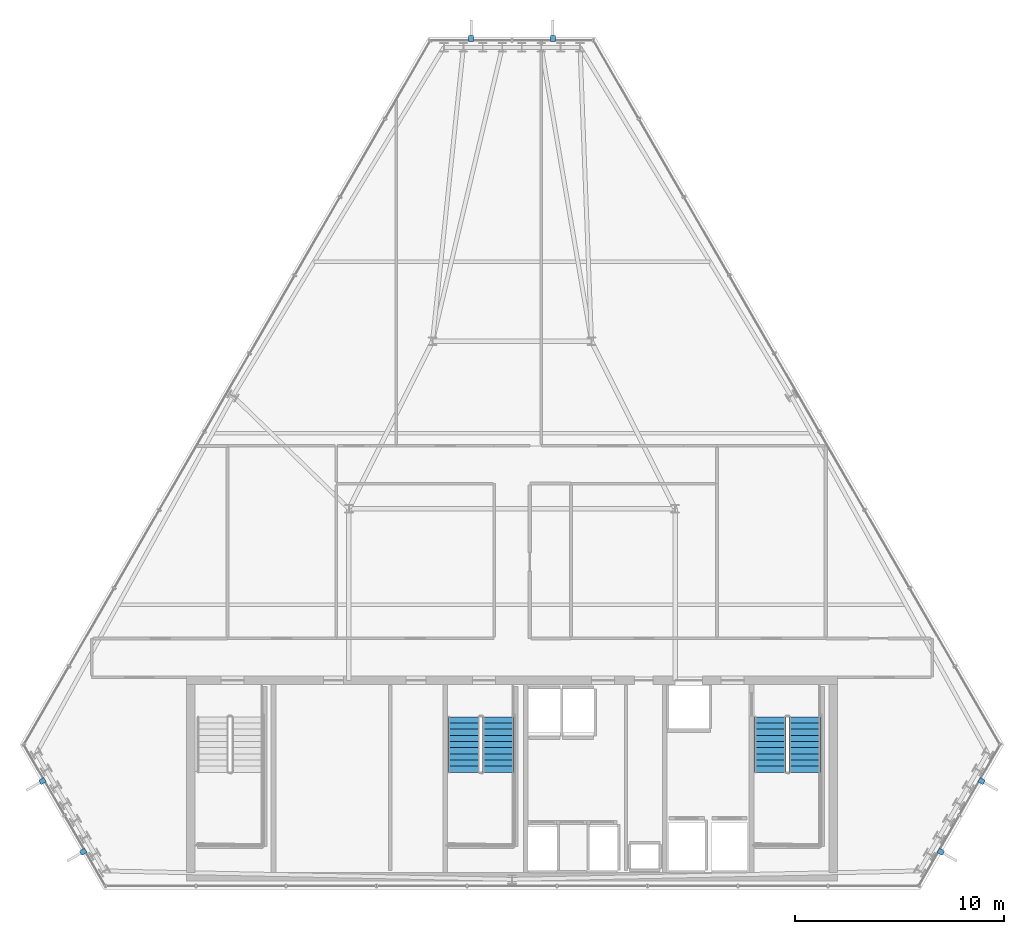
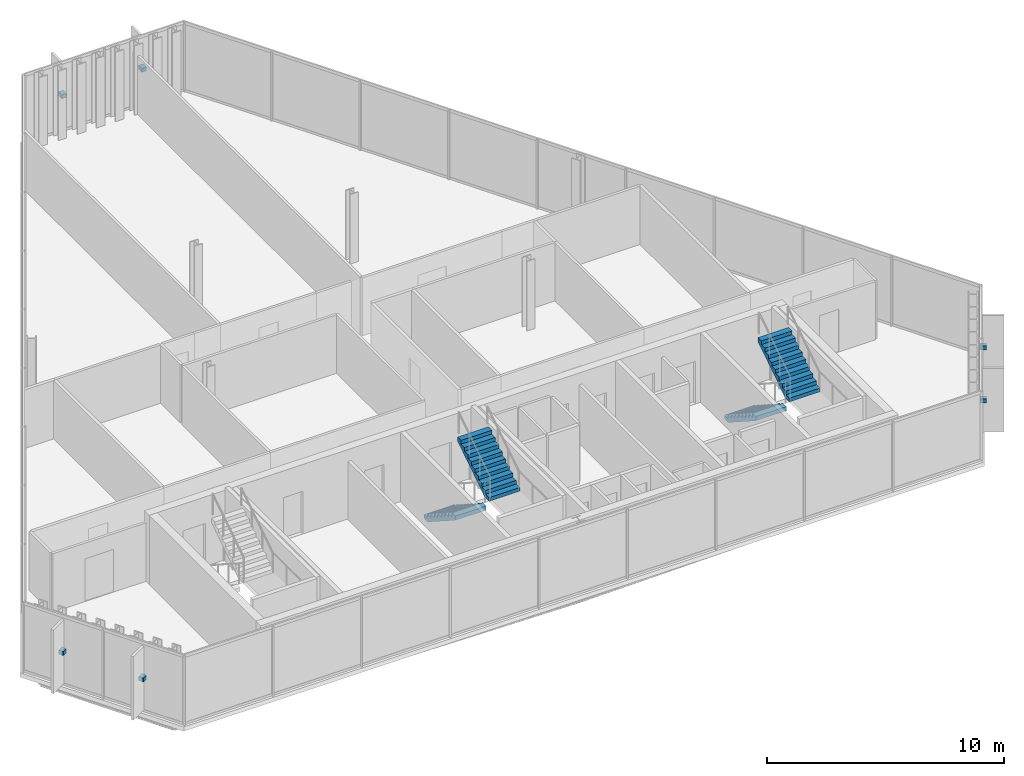
# One storey, part 26 of 30: 6 discrete accessories, 4 stair flights, 2 elements without a shape of their own.
"""IFC4 building model written with IfcOpenShell, lengths in metres."""

from ifc_helpers import new_model, si_unit, direction, frame, origin, origin_2d, place, context, subcontext, project, spatial, polyline, rectangle, outline, extrude, material, type_object, element, aggregate, save


model = new_model("IFC4")

# Units and contexts
model_context = context("Model", 3, precision=1e-05, world=origin(), true_north=direction((0.0, 1.0)))
body_context = subcontext(model_context, "Body", "Model", "MODEL_VIEW")
ifc_project = project(units=[si_unit("LENGTHUNIT", "METRE"), si_unit("AREAUNIT", "SQUARE_METRE"), si_unit("VOLUMEUNIT", "CUBIC_METRE"), si_unit("PLANEANGLEUNIT", "RADIAN"), si_unit("MASSUNIT", "GRAM", prefix="KILO")], contexts=[model_context])

# Site, building, storey
site_placement = place(None, origin())
site = spatial("IfcSite", under=ifc_project, at=site_placement, CompositionType="ELEMENT")
building_placement = place(site_placement, origin())
building = spatial("IfcBuilding", under=site, at=building_placement, Name="Ndaravel Arena Tower", CompositionType="ELEMENT")
storey_placement = place(building_placement, frame((0.0, 0.0, 221.800048828125)))
storey = spatial("IfcBuildingStorey", under=building, at=storey_placement, Name="L53", CompositionType="ELEMENT", Elevation=221.800048828125)

# Stair, stair flights
ifc_material_1 = material(Name="Concrete C40/50", Category="concrete")
stair_type = type_object("IfcStairType", Name="STAIR-CORE-HT", PredefinedType="HALF_TURN_STAIR", material=ifc_material_1)
stair_1_placement = place(storey_placement, origin())
stair_1 = element("IfcStair", 1, at=stair_1_placement, inside=storey, type_object=stair_type, Name="L53 ST-2", PredefinedType="HALF_TURN_STAIR")
ifc_material_2 = material(Name="Concrete C40/50", Category="concrete")
stair_flight_type = type_object("IfcStairFlightType", Name="SFLIGHT-CORE-1680", PredefinedType="STRAIGHT", material=ifc_material_2)
stair_flight_1_placement = place(storey_placement, frame((39.699951171875, 13.25, 0.0), z_axis=(0.0, 0.0, 1.0), x_axis=(0.0, -1.0, 0.0)))
stair_flight_1 = element("IfcStairFlight", 2, at=stair_flight_1_placement, type_object=stair_flight_type, Name="ST-2 flight 1", NumberOfRisers=10, NumberOfTreads=9, PredefinedType="STRAIGHT", RiserHeight=0.19, TreadLength=0.295, context=body_context, shape_type="SweptSolid", body=[
    extrude(outline(polyline([(0.0, 0.0), (0.0, 0.18994140625), (0.294921875, 0.18994140625), (0.294921875, 0.3798828125), (0.590087890625, 0.3798828125), (0.590087890625, 0.570068359375), (0.885009765625, 0.570068359375), (0.885009765625, 0.760009765625), (1.179931640625, 0.760009765625), (1.179931640625, 0.949951171875), (1.47509765625, 0.949951171875), (1.47509765625, 1.139892578125), (1.77001953125, 1.139892578125), (1.77001953125, 1.330078125), (2.06494140625, 1.330078125), (2.06494140625, 1.52001953125), (2.360107421875, 1.52001953125), (2.360107421875, 1.7099609375), (2.655029296875, 1.7099609375), (2.655029296875, 1.89990234375), (2.655029296875, 1.49609375), (0.332275390625, 0.0), (0.0, 0.0)])), frame((0.0, 0.75, 0.0), z_axis=(0.0, -1.0, 0.0), x_axis=(1.0, 0.0, 0.0)), (0.0, 0.0, 1.0), 1.5),
])
stair_flight_2_placement = place(storey_placement, frame((41.340087890625, 10.594970703125, 1.89990234375), z_axis=(0.0, 0.0, 1.0), x_axis=(0.0, 1.0, 0.0)))
stair_flight_2 = element("IfcStairFlight", 3, at=stair_flight_2_placement, type_object=stair_flight_type, Name="ST-2 flight 2", NumberOfRisers=10, NumberOfTreads=9, PredefinedType="STRAIGHT", RiserHeight=0.19, TreadLength=0.295, context=body_context, shape_type="SweptSolid", body=[
    extrude(outline(polyline([(0.0, 0.0), (0.0, 0.18994140625), (0.294921875, 0.18994140625), (0.294921875, 0.3798828125), (0.590087890625, 0.3798828125), (0.590087890625, 0.570068359375), (0.885009765625, 0.570068359375), (0.885009765625, 0.760009765625), (1.179931640625, 0.760009765625), (1.179931640625, 0.949951171875), (1.47509765625, 0.949951171875), (1.47509765625, 1.139892578125), (1.77001953125, 1.139892578125), (1.77001953125, 1.330078125), (2.06494140625, 1.330078125), (2.06494140625, 1.52001953125), (2.360107421875, 1.52001953125), (2.360107421875, 1.7099609375), (2.655029296875, 1.7099609375), (2.655029296875, 1.89990234375), (2.655029296875, 1.49609375), (0.332275390625, 0.0), (0.0, 0.0)])), frame((0.0, 0.75, 0.0), z_axis=(0.0, -1.0, 0.0), x_axis=(1.0, 0.0, 0.0)), (0.0, 0.0, 1.0), 1.5),
])
aggregate(stair_1, [stair_flight_1, stair_flight_2])

stair_2_placement = place(storey_placement, origin())
stair_2 = element("IfcStair", 4, at=stair_2_placement, inside=storey, type_object=stair_type, Name="L53 ST-3", PredefinedType="HALF_TURN_STAIR")
stair_flight_3_placement = place(storey_placement, frame((54.35009765625, 13.25, 0.0), z_axis=(0.0, 0.0, 1.0), x_axis=(0.0, -1.0, 0.0)))
stair_flight_3 = element("IfcStairFlight", 5, at=stair_flight_3_placement, type_object=stair_flight_type, Name="ST-3 flight 1", NumberOfRisers=10, NumberOfTreads=9, PredefinedType="STRAIGHT", RiserHeight=0.19, TreadLength=0.295, context=body_context, shape_type="SweptSolid", body=[
    extrude(outline(polyline([(0.0, 0.0), (0.0, 0.18994140625), (0.294921875, 0.18994140625), (0.294921875, 0.3798828125), (0.590087890625, 0.3798828125), (0.590087890625, 0.570068359375), (0.885009765625, 0.570068359375), (0.885009765625, 0.760009765625), (1.179931640625, 0.760009765625), (1.179931640625, 0.949951171875), (1.47509765625, 0.949951171875), (1.47509765625, 1.139892578125), (1.77001953125, 1.139892578125), (1.77001953125, 1.330078125), (2.06494140625, 1.330078125), (2.06494140625, 1.52001953125), (2.360107421875, 1.52001953125), (2.360107421875, 1.7099609375), (2.655029296875, 1.7099609375), (2.655029296875, 1.89990234375), (2.655029296875, 1.49609375), (0.332275390625, 0.0), (0.0, 0.0)])), frame((0.0, 0.75, 0.0), z_axis=(0.0, -1.0, 0.0), x_axis=(1.0, 0.0, 0.0)), (0.0, 0.0, 1.0), 1.5),
])
stair_flight_4_placement = place(storey_placement, frame((55.989990234375, 10.594970703125, 1.89990234375), z_axis=(0.0, 0.0, 1.0), x_axis=(0.0, 1.0, 0.0)))
stair_flight_4 = element("IfcStairFlight", 6, at=stair_flight_4_placement, type_object=stair_flight_type, Name="ST-3 flight 2", NumberOfRisers=10, NumberOfTreads=9, PredefinedType="STRAIGHT", RiserHeight=0.19, TreadLength=0.295, context=body_context, shape_type="SweptSolid", body=[
    extrude(outline(polyline([(0.0, 0.0), (0.0, 0.18994140625), (0.294921875, 0.18994140625), (0.294921875, 0.3798828125), (0.590087890625, 0.3798828125), (0.590087890625, 0.570068359375), (0.885009765625, 0.570068359375), (0.885009765625, 0.760009765625), (1.179931640625, 0.760009765625), (1.179931640625, 0.949951171875), (1.47509765625, 0.949951171875), (1.47509765625, 1.139892578125), (1.77001953125, 1.139892578125), (1.77001953125, 1.330078125), (2.06494140625, 1.330078125), (2.06494140625, 1.52001953125), (2.360107421875, 1.52001953125), (2.360107421875, 1.7099609375), (2.655029296875, 1.7099609375), (2.655029296875, 1.89990234375), (2.655029296875, 1.49609375), (0.332275390625, 0.0), (0.0, 0.0)])), frame((0.0, 0.75, 0.0), z_axis=(0.0, -1.0, 0.0), x_axis=(1.0, 0.0, 0.0)), (0.0, 0.0, 1.0), 1.5),
])
aggregate(stair_2, [stair_flight_3, stair_flight_4])

# Discrete accessories
ifc_material_3 = material(Name="Steel S355", Category="steel")
discrete_accessory_type = type_object("IfcDiscreteAccessoryType", Name="ACC-BRACKET-FIN", PredefinedType="BRACKET", material=ifc_material_3)
for number, where, z_axis, x_axis, name in (
    (7, (62.495361328125, 6.799560546875, 1.68994140625), (0.0, 0.0, 1.0), (0.866025403784, -0.5, 0.0), "L53 Mazeras Stone Solar Fin E2.1 Bracket"),
    (8, (64.4462890625, 10.1787109375, 1.68994140625), (0.0, 0.0, 1.0), (0.866025403784, -0.5, 0.0), "L53 Mazeras Stone Solar Fin E2.2 Bracket"),
    (9, (43.950927734375, 45.677734375, 1.68994140625), (0.0, 0.0, 1.0), (0.0, 1.0, 0.0), "L53 Mazeras Stone Solar Fin E4.1 Bracket"),
    (10, (40.049072265625, 45.677734375, 1.68994140625), (0.0, 0.0, 1.0), (0.0, 1.0, 0.0), "L53 Mazeras Stone Solar Fin E4.2 Bracket"),
    (11, (19.5537109375, 10.1787109375, 1.68994140625), (0.0, 0.0, 1.0), (-0.866025403784, -0.5, 0.0), "L53 Mazeras Stone Solar Fin E6.1 Bracket"),
    (12, (21.504638671875, 6.799560546875, 1.68994140625), (0.0, 0.0, 1.0), (-0.866025403784, -0.5, 0.0), "L53 Mazeras Stone Solar Fin E6.2 Bracket"),
):
    element("IfcDiscreteAccessory", number, at=place(storey_placement, frame(where, z_axis=z_axis, x_axis=x_axis)), inside=storey, type_object=discrete_accessory_type, Name=name, PredefinedType="BRACKET", context=body_context, shape_type="SweptSolid", body=[
        extrude(rectangle(XDim=0.280029296875, YDim=0.239990234375, at=origin_2d()), origin(), (0.0, 0.0, 1.0), 0.199951171875),
    ])

save(model, "model.ifc")
